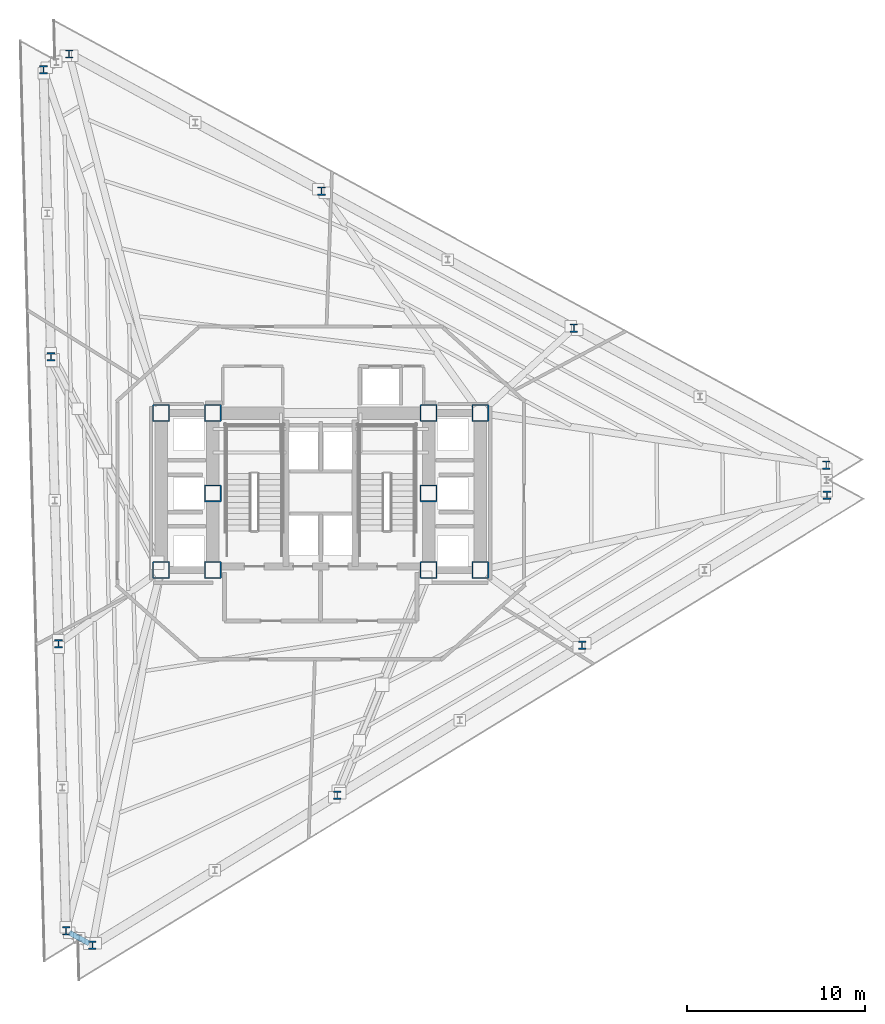
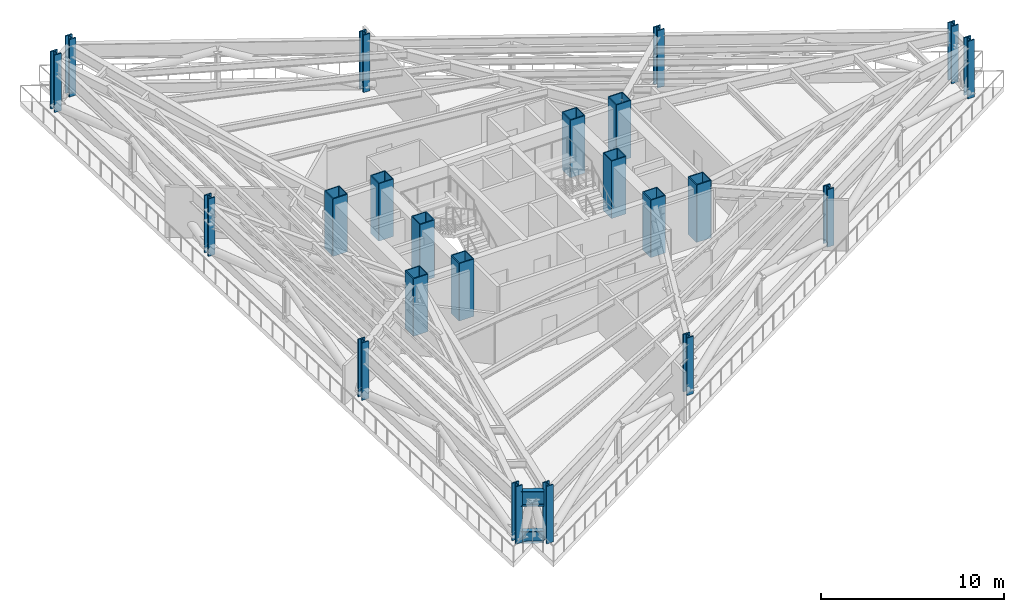
# One storey, part 1 of 10: 22 columns, 1 beam, 1 member.
"""IFC4 building model written with IfcOpenShell, lengths in metres."""

from ifc_helpers import new_model, si_unit, direction, frame, origin, origin_2d, place, context, subcontext, project, spatial, hollow_rectangle, i_section, extrude, material, material_profile, profile_set, type_object, element, save


model = new_model("IFC4")

# Units and contexts
model_context = context("Model", 3, precision=1e-05, world=origin(), true_north=direction((0.0, 1.0)))
body_context = subcontext(model_context, "Body", "Model", "MODEL_VIEW")
ifc_project = project(units=[si_unit("LENGTHUNIT", "METRE"), si_unit("AREAUNIT", "SQUARE_METRE"), si_unit("VOLUMEUNIT", "CUBIC_METRE"), si_unit("PLANEANGLEUNIT", "RADIAN"), si_unit("MASSUNIT", "GRAM", prefix="KILO")], contexts=[model_context])

# Site, building, storey
site_placement = place(None, origin())
site = spatial("IfcSite", under=ifc_project, at=site_placement, CompositionType="ELEMENT")
building_placement = place(site_placement, origin())
building = spatial("IfcBuilding", under=site, at=building_placement, Name="Rocaltana Carrier Exchange", CompositionType="ELEMENT")
storey_placement = place(building_placement, frame((0.0, 0.0, 45.760009765625)))
storey = spatial("IfcBuildingStorey", under=building, at=storey_placement, Name="L14", CompositionType="ELEMENT", Elevation=45.760009765625)

# Columns
ifc_material_1 = material(Name="Steel S460", Category="steel")
ifc_material_profile_1 = material_profile(ifc_material_1, hollow_rectangle(XDim=0.949951171875, YDim=0.949951171875, WallThickness=0.06005859375, InnerFilletRadius=0.02001953125, OuterFilletRadius=0.0400390625, at=origin_2d()), Name="BOX950X950X60")
ifc_profile_set_1 = profile_set([ifc_material_profile_1], Name="Steel S460")
column_type_1 = type_object("IfcColumnType", Name="Core Mega-Column BOX950", PredefinedType="COLUMN", material=ifc_profile_set_1)
for number, where, z_axis, x_axis, name in (
    (1, (-6.050048828125, 4.5, 0.0), (0.0, 0.0, 1.0), (1.0, 0.0, 0.0), "L14 Core Mega-Column MC1"),
    (2, (6.050048828125, 4.5, 0.0), (0.0, 0.0, 1.0), (1.0, 0.0, 0.0), "L14 Core Mega-Column MC2"),
    (3, (-6.050048828125, 0.0, 0.0), (0.0, 0.0, 1.0), (1.0, 0.0, 0.0), "L14 Core Mega-Column MC3"),
    (4, (6.050048828125, 0.0, 0.0), (0.0, 0.0, 1.0), (1.0, 0.0, 0.0), "L14 Core Mega-Column MC4"),
    (5, (-6.050048828125, -4.300048828125, 0.0), (0.0, 0.0, 1.0), (1.0, 0.0, 0.0), "L14 Core Mega-Column MC5"),
    (6, (6.050048828125, -4.300048828125, 0.0), (0.0, 0.0, 1.0), (1.0, 0.0, 0.0), "L14 Core Mega-Column MC6"),
    (7, (-8.949951171875, 4.5, 0.0), (0.0, 0.0, 1.0), (1.0, 0.0, 0.0), "L14 West Core Column WC1"),
    (8, (-8.949951171875, -4.300048828125, 0.0), (0.0, 0.0, 1.0), (1.0, 0.0, 0.0), "L14 West Core Column WC2"),
    (9, (8.949951171875, 4.5, 0.0), (0.0, 0.0, 1.0), (1.0, 0.0, 0.0), "L14 East Core Column EC1"),
    (10, (8.949951171875, -4.300048828125, 0.0), (0.0, 0.0, 1.0), (1.0, 0.0, 0.0), "L14 East Core Column EC2"),
):
    element("IfcColumn", number, at=place(storey_placement, frame(where, z_axis=z_axis, x_axis=x_axis)), inside=storey, type_object=column_type_1, Name=name, PredefinedType="COLUMN", context=body_context, shape_type="SweptSolid", body=[
        extrude(hollow_rectangle(XDim=0.949951171875, YDim=0.949951171875, WallThickness=0.06005859375, InnerFilletRadius=0.02001953125, OuterFilletRadius=0.0400390625, at=origin_2d()), origin(), (0.0, 0.0, 1.0), 3.840087890625),
    ])
ifc_material_2 = material(Name="Steel S460", Category="steel")
ifc_material_profile_2 = material_profile(ifc_material_2, i_section(OverallWidth=0.424072265625, OverallDepth=0.47412109375, WebThickness=0.047607421875, FlangeThickness=0.0771484375, FilletRadius=0.02490234375, at=origin_2d()), Name="W14X426")
ifc_profile_set_2 = profile_set([ifc_material_profile_2], Name="Steel S460")
column_type_2 = type_object("IfcColumnType", Name="Perimeter Column W14X426", PredefinedType="COLUMN", material=ifc_profile_set_2)
for number, where, z_axis, x_axis, name in (
    (11, (28.340576171875, 1.5849609375, 0.0), (0.0, 0.0, 1.0), (1.0, 0.0, 0.0), "L14 Perimeter Column TC01"),
    (12, (14.191650390625, 9.26708984375, 0.0), (0.0, 0.0, 1.0), (1.0, 0.0, 0.0), "L14 Perimeter Column TC02"),
    (13, (0.042724609375, 16.949462890625, 0.0), (0.0, 0.0, 1.0), (1.0, 0.0, 0.0), "L14 Perimeter Column TC03"),
    (14, (-14.106201171875, 24.631591796875, 0.0), (0.0, 0.0, 1.0), (1.0, 0.0, 0.0), "L14 Perimeter Column TC04"),
    (15, (-15.54296875, 23.751220703125, 0.0), (0.0, 0.0, 1.0), (1.0, 0.0, 0.0), "L14 Perimeter Column TC05"),
    (16, (-15.121337890625, 7.65673828125, 0.0), (0.0, 0.0, 1.0), (1.0, 0.0, 0.0), "L14 Perimeter Column TC06"),
    (17, (-14.699951171875, -8.437744140625, 0.0), (0.0, 0.0, 1.0), (1.0, 0.0, 0.0), "L14 Perimeter Column TC07"),
    (18, (-14.278564453125, -24.5322265625, 0.0), (0.0, 0.0, 1.0), (1.0, 0.0, 0.0), "L14 Perimeter Column TC08"),
    (19, (-12.7978515625, -25.336181640625, 0.0), (0.0, 0.0, 1.0), (1.0, 0.0, 0.0), "L14 Perimeter Column TC09"),
    (20, (0.9296875, -16.923828125, 0.0), (0.0, 0.0, 1.0), (1.0, 0.0, 0.0), "L14 Perimeter Column TC10"),
    (21, (14.6572265625, -8.51171875, 0.0), (0.0, 0.0, 1.0), (1.0, 0.0, 0.0), "L14 Perimeter Column TC11"),
    (22, (28.384765625, -0.099609375, 0.0), (0.0, 0.0, 1.0), (1.0, 0.0, 0.0), "L14 Perimeter Column TC12"),
):
    element("IfcColumn", number, at=place(storey_placement, frame(where, z_axis=z_axis, x_axis=x_axis)), inside=storey, type_object=column_type_2, Name=name, PredefinedType="COLUMN", context=body_context, shape_type="SweptSolid", body=[
        extrude(i_section(OverallWidth=0.424072265625, OverallDepth=0.47412109375, WebThickness=0.047607421875, FlangeThickness=0.0771484375, FilletRadius=0.02490234375, at=origin_2d()), origin(), (0.0, 0.0, 1.0), 3.840087890625),
    ])

# Member
ifc_material_3 = material(Name="Steel S460", Category="steel")
ifc_material_profile_3 = material_profile(ifc_material_3, i_section(OverallWidth=0.300048828125, OverallDepth=0.800048828125, WebThickness=0.017578125, FlangeThickness=0.032958984375, FilletRadius=0.030029296875, at=origin_2d()), Name="HEB800")
ifc_profile_set_3 = profile_set([ifc_material_profile_3], Name="Steel S460")
member_type = type_object("IfcMemberType", Name="Belt Truss Chord HEB800", PredefinedType="CHORD", material=ifc_profile_set_3)
member_placement = place(storey_placement, frame((-14.095703125, -24.631591796875, 0.35009765625), z_axis=(0.878871874153, -0.477057888335, 0.0), x_axis=(0.477057888335, 0.878871874153, 0.0)))
element("IfcMember", 23, at=member_placement, inside=storey, type_object=member_type, Name="L14 Belt Truss Bottom Chord 8", PredefinedType="CHORD", context=body_context, shape_type="SweptSolid", body=[
    extrude(i_section(OverallWidth=0.300048828125, OverallDepth=0.800048828125, WebThickness=0.017578125, FlangeThickness=0.032958984375, FilletRadius=0.030029296875, at=origin_2d()), origin(), (0.0, 0.0, 1.0), 1.2685546875),
])

# Beam
ifc_material_4 = material(Name="Steel S460", Category="steel")
ifc_material_profile_4 = material_profile(ifc_material_4, i_section(OverallWidth=0.302001953125, OverallDepth=1.008056640625, WebThickness=0.02099609375, FlangeThickness=0.0400390625, FilletRadius=0.030029296875, at=origin_2d()), Name="HEM1000")
ifc_profile_set_4 = profile_set([ifc_material_profile_4], Name="Steel S460")
beam_type = type_object("IfcBeamType", Name="Transfer Ring Girder HEM1000", PredefinedType="USERDEFINED", material=ifc_profile_set_4)
beam_placement = place(storey_placement, frame((-14.09912109375, -24.62939453125, 2.9140625), z_axis=(0.878690764039, -0.477391392038, 0.0), x_axis=(0.477391392038, 0.878690764039, 0.0)))
element("IfcBeam", 24, at=beam_placement, inside=storey, type_object=beam_type, Name="SP-L14-08", ObjectType="TRANSFER GIRDER", PredefinedType="USERDEFINED", context=body_context, shape_type="SweptSolid", body=[
    extrude(i_section(OverallWidth=0.302001953125, OverallDepth=1.008056640625, WebThickness=0.02099609375, FlangeThickness=0.0400390625, FilletRadius=0.030029296875, at=origin_2d()), origin(), (0.0, 0.0, 1.0), 1.277099609375),
])

save(model, "model.ifc")
